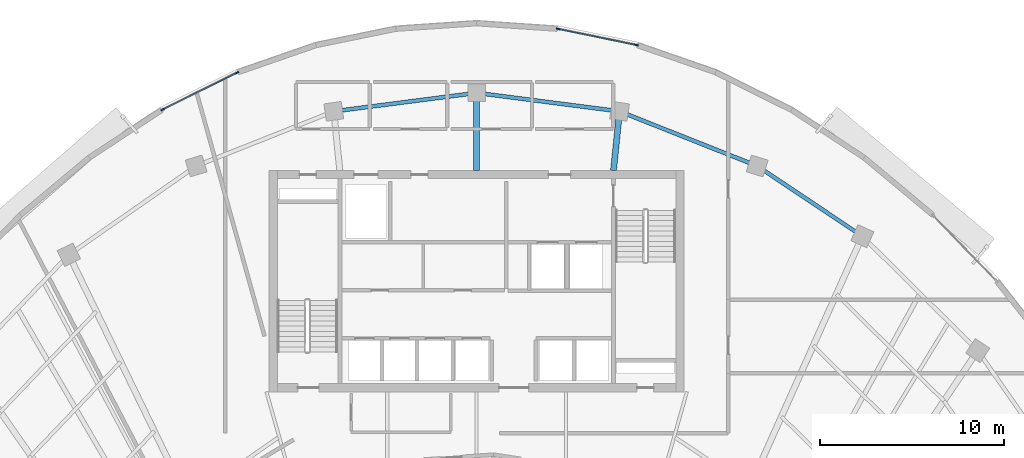
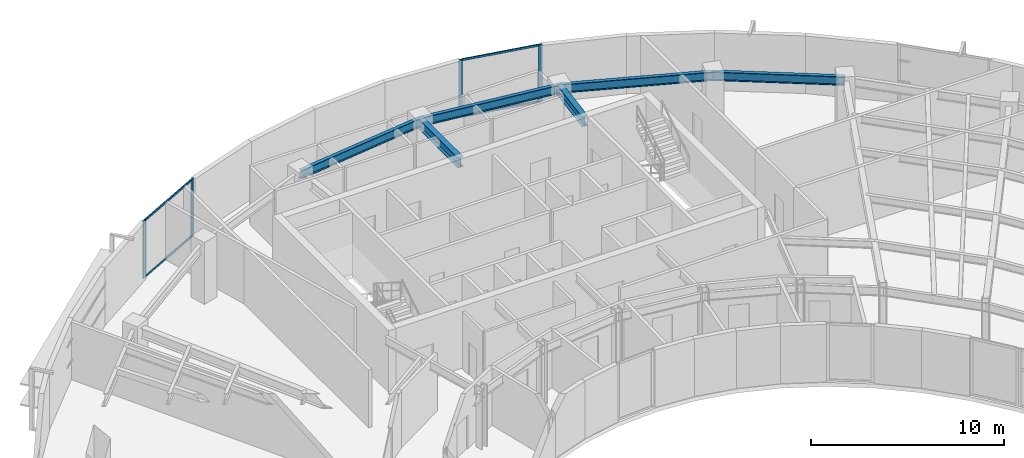
# One storey, part 5 of 14: 8 members, 6 beams, 2 elements without a shape of their own.
"""IFC4 building model written with IfcOpenShell, lengths in metres."""

from ifc_helpers import new_model, si_unit, direction, frame, origin, origin_2d, place, context, subcontext, project, spatial, rectangle, i_section, extrude, source, transform, mapped, material, layer, layer_set, material_profile, profile_set, type_object, element, aggregate, save


model = new_model("IFC4")

# Units and contexts
model_context = context("Model", 3, precision=1e-05, world=origin(), true_north=direction((0.0, 1.0)))
body_context = subcontext(model_context, "Body", "Model", "MODEL_VIEW")
ifc_project = project(units=[si_unit("LENGTHUNIT", "METRE"), si_unit("AREAUNIT", "SQUARE_METRE"), si_unit("VOLUMEUNIT", "CUBIC_METRE"), si_unit("PLANEANGLEUNIT", "RADIAN"), si_unit("MASSUNIT", "GRAM", prefix="KILO")], contexts=[model_context])

# Site, building, storey
site_placement = place(None, origin())
site = spatial("IfcSite", under=ifc_project, at=site_placement, CompositionType="ELEMENT")
building_placement = place(site_placement, origin())
building = spatial("IfcBuilding", under=site, at=building_placement, Name="Breltana Convention Tower", CompositionType="ELEMENT")
storey_placement = place(building_placement, frame((0.0, 0.0, 215.699951171875)))
storey = spatial("IfcBuildingStorey", under=building, at=storey_placement, Name="L52", CompositionType="ELEMENT", Elevation=215.699951171875)

# Beams
ifc_material_1 = material(Name="Steel ASTM A992 Grade 50", Category="steel")
ifc_material_profile_1 = material_profile(ifc_material_1, i_section(OverallWidth=0.326904296875, OverallDepth=0.6220703125, WebThickness=0.015380859375, FlangeThickness=0.0244140625, at=origin_2d()), Name="W24X131")
ifc_profile_set_1 = profile_set([ifc_material_profile_1], Name="Steel ASTM A992 Grade 50")
beam_type_1 = type_object("IfcBeamType", Name="BM-RG-W24X131", PredefinedType="USERDEFINED", material=ifc_profile_set_1)
shared_shape_1 = source(origin(), body_context, "Body", "SweptSolid", [
    extrude(i_section(OverallWidth=0.326904296875, OverallDepth=0.6220703125, WebThickness=0.015380859375, FlangeThickness=0.0244140625, at=origin_2d()), origin(), (0.0, 0.0, 1.0), 3.220947265625),
])
beam_1_placement = place(storey_placement, frame((55.419921875, 72.199951171875, 3.3291015625), z_axis=(0.101492254858, 0.994836329355, 0.0), x_axis=(-0.994836329355, 0.101492254858, 0.0)))
element("IfcBeam", 1, at=beam_1_placement, inside=storey, type_object=beam_type_1, Name="L52 North Core Radial Girder R07", ObjectType="GIRDER", PredefinedType="USERDEFINED", context=body_context, shape_type="MappedRepresentation", body=[
    mapped(shared_shape_1, transform((0.0, 0.0, 0.0), scale=1.0)),
])
shared_shape_2 = source(origin(), body_context, "Body", "SweptSolid", [
    extrude(i_section(OverallWidth=0.326904296875, OverallDepth=0.6220703125, WebThickness=0.015380859375, FlangeThickness=0.0244140625, at=origin_2d()), origin(), (0.0, 0.0, 1.0), 4.2041015625),
])
beam_2_placement = place(storey_placement, frame((48.0, 72.199951171875, 3.3291015625), z_axis=(0.0, 1.0, 0.0), x_axis=(-1.0, 0.0, 0.0)))
element("IfcBeam", 2, at=beam_2_placement, inside=storey, type_object=beam_type_1, Name="L52 North Core Radial Girder R06", ObjectType="GIRDER", PredefinedType="USERDEFINED", context=body_context, shape_type="MappedRepresentation", body=[
    mapped(shared_shape_2, transform((0.0, 0.0, 0.0), scale=1.0)),
])
ifc_material_profile_2 = material_profile(ifc_material_1, i_section(OverallWidth=0.214111328125, OverallDepth=0.549072265625, WebThickness=0.0146484375, FlangeThickness=0.023681640625, at=origin_2d()), Name="W21X93")
ifc_profile_set_2 = profile_set([ifc_material_profile_2], Name="Steel ASTM A992 Grade 50")
beam_type_2 = type_object("IfcBeamType", Name="BM-SP-W21X93", PredefinedType="SPANDREL", material=ifc_profile_set_2)
shared_shape_3 = source(origin(), body_context, "Body", "SweptSolid", [
    extrude(i_section(OverallWidth=0.214111328125, OverallDepth=0.549072265625, WebThickness=0.0146484375, FlangeThickness=0.023681640625, at=origin_2d()), origin(), (0.0, 0.0, 1.0), 8.028564453125),
])
beam_3_placement = place(storey_placement, frame((55.746826171875, 75.404296875, 3.365478515625), z_axis=(0.929459100394, -0.368925169507, 0.0), x_axis=(0.368925169507, 0.929459100394, 0.0)))
element("IfcBeam", 3, at=beam_3_placement, inside=storey, type_object=beam_type_2, Name="L52 Outer Spandrel Beam 07", PredefinedType="SPANDREL", context=body_context, shape_type="MappedRepresentation", body=[
    mapped(shared_shape_3, transform((0.0, 0.0, 0.0), scale=1.0)),
])
shared_shape_4 = source(origin(), body_context, "Body", "SweptSolid", [
    extrude(i_section(OverallWidth=0.214111328125, OverallDepth=0.549072265625, WebThickness=0.0146484375, FlangeThickness=0.023681640625, at=origin_2d()), origin(), (0.0, 0.0, 1.0), 7.81103515625),
])
for number, where, z_axis, x_axis, name in (
    (4, (40.253173828125, 75.404296875, 3.365478515625), (0.991775179127, 0.127992164083, 0.0), (-0.127992164083, 0.991775179127, 0.0), "L52 Outer Spandrel Beam 05"),
    (5, (48.0, 76.404052734375, 3.365478515625), (0.991775179127, -0.127992164083, 0.0), (0.127992164083, 0.991775179127, 0.0), "L52 Outer Spandrel Beam 06"),
):
    element("IfcBeam", number, at=place(storey_placement, frame(where, z_axis=z_axis, x_axis=x_axis)), inside=storey, type_object=beam_type_2, Name=name, PredefinedType="SPANDREL", context=body_context, shape_type="MappedRepresentation", body=[
        mapped(shared_shape_4, transform((0.0, 0.0, 0.0), scale=1.0)),
    ])
shared_shape_5 = source(origin(), body_context, "Body", "SweptSolid", [
    extrude(i_section(OverallWidth=0.214111328125, OverallDepth=0.549072265625, WebThickness=0.0146484375, FlangeThickness=0.023681640625, at=origin_2d()), origin(), (0.0, 0.0, 1.0), 6.856689453125),
])
beam_4_placement = place(storey_placement, frame((63.208984375, 72.4423828125, 3.365478515625), z_axis=(0.83150210718, -0.55552159792, 0.0), x_axis=(0.55552159792, 0.83150210718, 0.0)))
element("IfcBeam", 6, at=beam_4_placement, inside=storey, type_object=beam_type_2, Name="L52 Outer Spandrel Beam 08", PredefinedType="SPANDREL", context=body_context, shape_type="MappedRepresentation", body=[
    mapped(shared_shape_5, transform((0.0, 0.0, 0.0), scale=1.0)),
])

# Curtain wall, members
ifc_material_2 = material(Name="Aluminium Anodised Bronze Frame", Category="aluminium")
ifc_layer = layer(ifc_material_2, 0.219970703125, Name="Aluminium Anodised Bronze Frame")
ifc_layer_set = layer_set([ifc_layer], Name="Aluminium Anodised Bronze Frame")
curtain_wall_type = type_object("IfcCurtainWallType", Name="CW-SYS-4", PredefinedType="NOTDEFINED", material=ifc_layer_set)
curtain_wall_1_placement = place(storey_placement, origin())
curtain_wall_1 = element("IfcCurtainWall", 7, at=curtain_wall_1_placement, inside=storey, type_object=curtain_wall_type, Name="L52 outer double-skin inner glazing 3", PredefinedType="NOTDEFINED")
ifc_material_3 = material(Name="Aluminium Anodised Bronze", Category="aluminium")
ifc_material_profile_3 = material_profile(ifc_material_3, rectangle(XDim=0.070068359375, YDim=0.1201171875, at=origin_2d()), Name="CWT-70X120")
ifc_profile_set_3 = profile_set([ifc_material_profile_3], Name="Aluminium Anodised Bronze")
member_type_1 = type_object("IfcMemberType", Name="CWT-120", PredefinedType="USERDEFINED", material=ifc_profile_set_3)
shared_shape_6 = source(origin(), body_context, "Body", "SweptSolid", [
    extrude(rectangle(XDim=0.070068359375, YDim=0.1201171875, at=origin_2d()), origin(), (0.0, 0.0, 1.0), 4.262451171875),
])
member_1_placement = place(storey_placement, frame((52.455078125, 79.863525390625, 0.03515625), z_axis=(0.97960616963, -0.200927231659, 0.0), x_axis=(0.200927231659, 0.97960616963, 0.0)))
member_1 = element("IfcMember", 8, at=member_1_placement, type_object=member_type_1, Name="CW-04 transom 1.1", ObjectType="TRANSOM", PredefinedType="USERDEFINED", context=body_context, shape_type="MappedRepresentation", body=[
    mapped(shared_shape_6, transform((0.0, 0.0, 0.0), scale=1.0)),
])
member_2_placement = place(storey_placement, frame((52.455078125, 79.863525390625, 3.60498046875), z_axis=(0.97960616963, -0.200927231659, 0.0), x_axis=(0.200927231659, 0.97960616963, 0.0)))
member_2 = element("IfcMember", 9, at=member_2_placement, type_object=member_type_1, Name="CW-04 transom 1.2", ObjectType="TRANSOM", PredefinedType="USERDEFINED", context=body_context, shape_type="MappedRepresentation", body=[
    mapped(shared_shape_6, transform((0.0, 0.0, 0.0), scale=1.0)),
])

curtain_wall_2_placement = place(storey_placement, origin())
curtain_wall_2 = element("IfcCurtainWall", 10, at=curtain_wall_2_placement, inside=storey, type_object=curtain_wall_type, Name="L52 outer double-skin inner glazing 2", PredefinedType="NOTDEFINED")
shared_shape_7 = source(origin(), body_context, "Body", "SweptSolid", [
    extrude(rectangle(XDim=0.070068359375, YDim=0.1201171875, at=origin_2d()), origin(), (0.0, 0.0, 1.0), 4.4306640625),
])
member_3_placement = place(storey_placement, frame((31.005126953125, 75.51708984375, 0.03515625), z_axis=(0.895964734866, 0.444125200678, 0.0), x_axis=(-0.444125200678, 0.895964734866, 0.0)))
member_3 = element("IfcMember", 11, at=member_3_placement, type_object=member_type_1, Name="CW-04 transom 1.1", ObjectType="TRANSOM", PredefinedType="USERDEFINED", context=body_context, shape_type="MappedRepresentation", body=[
    mapped(shared_shape_7, transform((0.0, 0.0, 0.0), scale=1.0)),
])
member_4_placement = place(storey_placement, frame((31.005126953125, 75.51708984375, 3.60498046875), z_axis=(0.895964734866, 0.444125200678, 0.0), x_axis=(-0.444125200678, 0.895964734866, 0.0)))
member_4 = element("IfcMember", 12, at=member_4_placement, type_object=member_type_1, Name="CW-04 transom 1.2", ObjectType="TRANSOM", PredefinedType="USERDEFINED", context=body_context, shape_type="MappedRepresentation", body=[
    mapped(shared_shape_7, transform((0.0, 0.0, 0.0), scale=1.0)),
])
ifc_material_profile_4 = material_profile(ifc_material_3, rectangle(XDim=0.080078125, YDim=0.199951171875, at=origin_2d()), Name="CWM-80X200")
ifc_profile_set_4 = profile_set([ifc_material_profile_4], Name="Aluminium Anodised Bronze")
member_type_2 = type_object("IfcMemberType", Name="CWM-200", PredefinedType="MULLION", material=ifc_profile_set_4)
shared_shape_8 = source(origin(), body_context, "Body", "SweptSolid", [
    extrude(rectangle(XDim=0.080078125, YDim=0.199951171875, at=origin_2d()), origin(), (0.0, 0.0, 1.0), 3.64013671875),
])
member_5_placement = place(storey_placement, frame((30.96923828125, 75.499267578125, 0.0), z_axis=(0.0, 0.0, 1.0), x_axis=(-0.444108875003, 0.895972827235, 0.0)))
member_5 = element("IfcMember", 13, at=member_5_placement, type_object=member_type_2, Name="CW-04 mullion 1", PredefinedType="MULLION", context=body_context, shape_type="MappedRepresentation", body=[
    mapped(shared_shape_8, transform((0.0, 0.0, 0.0), scale=1.0)),
])
member_6_placement = place(storey_placement, frame((35.0107421875, 77.50244140625, 0.0), z_axis=(0.0, 0.0, 1.0), x_axis=(-0.444108875003, 0.895972827235, 0.0)))
member_6 = element("IfcMember", 14, at=member_6_placement, type_object=member_type_2, Name="CW-04 mullion 2", PredefinedType="MULLION", context=body_context, shape_type="MappedRepresentation", body=[
    mapped(shared_shape_8, transform((0.0, 0.0, 0.0), scale=1.0)),
])
aggregate(curtain_wall_2, [member_5, member_6, member_3, member_4])

# Member
member_7_placement = place(storey_placement, frame((52.415771484375, 79.87158203125, 0.0), z_axis=(0.0, 0.0, 1.0), x_axis=(0.200879604523, 0.979615937236, 0.0)))
member_7 = element("IfcMember", 15, at=member_7_placement, type_object=member_type_2, Name="CW-04 mullion 1", PredefinedType="MULLION", context=body_context, shape_type="MappedRepresentation", body=[
    mapped(shared_shape_8, transform((0.0, 0.0, 0.0), scale=1.0)),
])

member_8_placement = place(storey_placement, frame((56.669921875, 78.9990234375, 0.0), z_axis=(0.0, 0.0, 1.0), x_axis=(0.200879604523, 0.979615937236, 0.0)))
member_8 = element("IfcMember", 16, at=member_8_placement, type_object=member_type_2, Name="CW-04 mullion 2", PredefinedType="MULLION", context=body_context, shape_type="MappedRepresentation", body=[
    mapped(shared_shape_8, transform((0.0, 0.0, 0.0), scale=1.0)),
])

aggregate(curtain_wall_1, [member_7, member_8, member_1, member_2])

save(model, "model.ifc")
